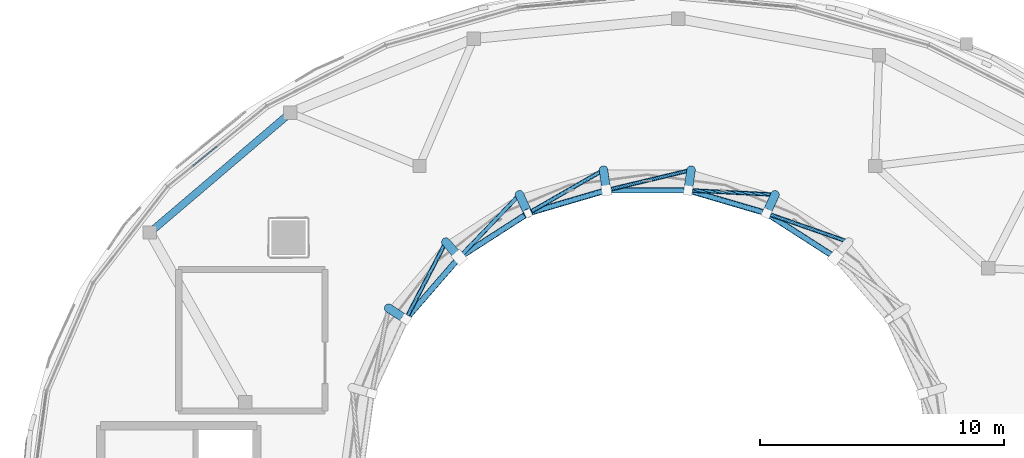
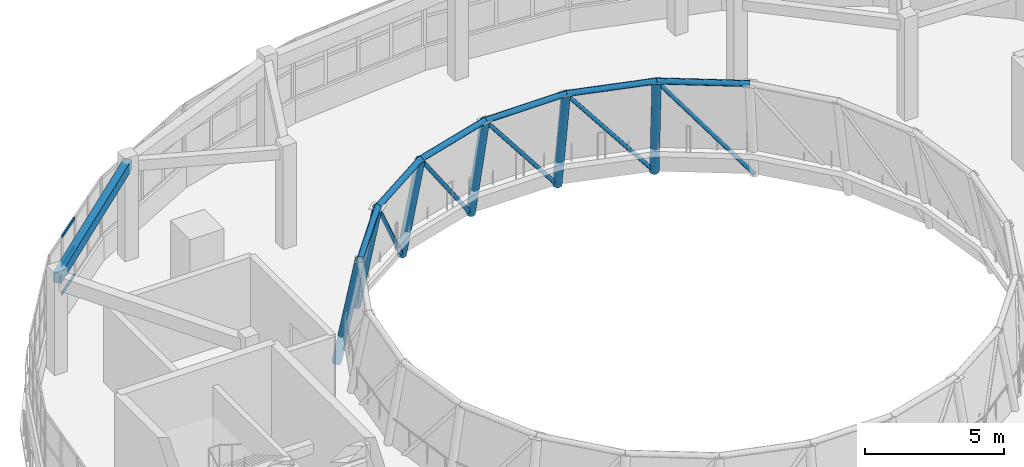
# One storey, part 18 of 46: 13 beams, 9 members, 1 element without a shape of its own.
"""IFC4 building model written with IfcOpenShell, lengths in metres."""

from ifc_helpers import new_model, si_unit, direction, frame, origin, origin_2d, place, context, subcontext, project, spatial, rectangle, hollow_rectangle, hollow_circle, extrude, material, layer, layer_set, material_profile, profile_set, type_object, element, aggregate, save


model = new_model("IFC4")

# Units and contexts
model_context = context("Model", 3, precision=1e-05, world=origin(), true_north=direction((0.0, 1.0)))
body_context = subcontext(model_context, "Body", "Model", "MODEL_VIEW")
ifc_project = project(units=[si_unit("LENGTHUNIT", "METRE"), si_unit("AREAUNIT", "SQUARE_METRE"), si_unit("VOLUMEUNIT", "CUBIC_METRE"), si_unit("PLANEANGLEUNIT", "RADIAN"), si_unit("MASSUNIT", "GRAM", prefix="KILO")], contexts=[model_context])

# Site, building, storey
site_placement = place(None, origin())
site = spatial("IfcSite", under=ifc_project, at=site_placement, CompositionType="ELEMENT")
building_placement = place(site_placement, origin())
building = spatial("IfcBuilding", under=site, at=building_placement, Name="Pelvatis Terrace Science Centre", CompositionType="ELEMENT")
storey_placement = place(building_placement, frame((0.0, 0.0, 19.800048828125)))
storey = spatial("IfcBuildingStorey", under=building, at=storey_placement, Name="L04", CompositionType="ELEMENT", Elevation=19.800048828125)

# Beams
ifc_material_1 = material(Name="Structural steel S355", Category="steel")
ifc_material_profile_1 = material_profile(ifc_material_1, hollow_circle(Radius=0.177734375, WallThickness=0.012451171875, at=origin_2d()), Name="CHS 355.6x12.5")
ifc_profile_set_1 = profile_set([ifc_material_profile_1], Name="Structural steel S355")
beam_type_1 = type_object("IfcBeamType", Name="BM-DOME-CHS355", PredefinedType="BEAM", material=ifc_profile_set_1)
for number, where, z_axis, x_axis, name in (
    (1, (114.43408203125, 97.261474609375, -1.199951171875), (-0.075651033918, -0.165815583126, 0.98325078869), (0.909786197621, -0.415077191156, 0.0), "Planetarium meridional dome rib 05.1"),
    (2, (110.9931640625, 98.271728515625, -1.199951171875), (-0.025943664668, -0.180382897987, 0.983254258256), (0.98981485559, -0.142360639413, 0.0), "Planetarium meridional dome rib 06.1"),
    (3, (107.40673828125, 98.271728515625, -1.199951171875), (0.025943664668, -0.180382897987, 0.983254258256), (0.98981485559, 0.142360639413, 0.0), "Planetarium meridional dome rib 07.1"),
    (4, (103.9658203125, 97.261474609375, -1.199951171875), (0.075703892402, -0.165814916012, 0.983246832847), (0.909676026984, 0.415318583657, 0.0), "Planetarium meridional dome rib 08.1"),
    (5, (100.94873046875, 95.322509765625, -1.199951171875), (0.11935103254, -0.137745445572, 0.983250488561), (0.755766071606, 0.654841694618, 0.0), "Planetarium meridional dome rib 09.1"),
    (6, (98.60009765625, 92.612060546875, -1.199951171875), (0.153322702858, -0.098511431483, 0.983253602412), (0.540551161728, 0.841311144319, 0.0), "Planetarium meridional dome rib 10.1"),
):
    element("IfcBeam", number, at=place(storey_placement, frame(where, z_axis=z_axis, x_axis=x_axis)), inside=storey, type_object=beam_type_1, Name=name, PredefinedType="BEAM", context=body_context, shape_type="SweptSolid", body=[
        extrude(hollow_circle(Radius=0.177734375, WallThickness=0.012451171875, at=origin_2d()), origin(), (0.0, 0.0, 1.0), 4.59228515625),
    ])
ifc_material_2 = material(Name="Structural steel S355", Category="steel")
ifc_material_profile_2 = material_profile(ifc_material_2, hollow_circle(Radius=0.122314453125, WallThickness=0.010009765625, at=origin_2d()), Name="CHS 244.5x10.0")
ifc_profile_set_2 = profile_set([ifc_material_profile_2], Name="Structural steel S355")
beam_type_2 = type_object("IfcBeamType", Name="BM-HOOP-CHS244", PredefinedType="BEAM", material=ifc_profile_set_2)
beam_1_placement = place(storey_placement, frame((116.9033203125, 94.68994140625, 3.3154296875), z_axis=(-0.841266125032, 0.540621223107, 0.0), x_axis=(-0.540621223107, -0.841266125032, 0.0)))
element("IfcBeam", 7, at=beam_1_placement, inside=storey, type_object=beam_type_2, Name="Planetarium dome hoop ring 2.04", PredefinedType="BEAM", context=body_context, shape_type="SweptSolid", body=[
    extrude(hollow_circle(Radius=0.122314453125, WallThickness=0.010009765625, at=origin_2d()), origin(), (0.0, 0.0, 1.0), 3.34814453125),
])
beam_2_placement = place(storey_placement, frame((114.086669921875, 96.5, 3.3154296875), z_axis=(-0.959489642889, 0.281743900002, 0.0), x_axis=(-0.281743900002, -0.959489642889, 0.0)))
element("IfcBeam", 8, at=beam_2_placement, inside=storey, type_object=beam_type_2, Name="Planetarium dome hoop ring 2.05", PredefinedType="BEAM", context=body_context, shape_type="SweptSolid", body=[
    extrude(hollow_circle(Radius=0.122314453125, WallThickness=0.010009765625, at=origin_2d()), origin(), (0.0, 0.0, 1.0), 3.348388671875),
])
for number, where, z_axis, x_axis, name in (
    (9, (110.8740234375, 97.443359375, 3.3154296875), (-1.0, 0.0, 0.0), (0.0, -1.0, 0.0), "Planetarium dome hoop ring 2.06"),
    (10, (107.52587890625, 97.443359375, 3.3154296875), (-0.959483854309, -0.281763612483, 0.0), (0.281763612483, -0.959483854309, 0.0), "Planetarium dome hoop ring 2.07"),
    (11, (104.3134765625, 96.5, 3.3154296875), (-0.841266125032, -0.540621223107, 0.0), (0.540621223107, -0.841266125032, 0.0), "Planetarium dome hoop ring 2.08"),
    (12, (101.496826171875, 94.68994140625, 3.3154296875), (-0.65488334353, -0.755729982446, 0.0), (0.755729982446, -0.65488334353, 0.0), "Planetarium dome hoop ring 2.09"),
):
    element("IfcBeam", number, at=place(storey_placement, frame(where, z_axis=z_axis, x_axis=x_axis)), inside=storey, type_object=beam_type_2, Name=name, PredefinedType="BEAM", context=body_context, shape_type="SweptSolid", body=[
        extrude(hollow_circle(Radius=0.122314453125, WallThickness=0.010009765625, at=origin_2d()), origin(), (0.0, 0.0, 1.0), 3.34814453125),
    ])
ifc_material_3 = material(Name="Concrete C35/45", Category="concrete")
ifc_material_profile_3 = material_profile(ifc_material_3, rectangle(XDim=0.300048828125, YDim=0.449951171875, at=origin_2d()), Name="RC-BM 300x450")
ifc_profile_set_3 = profile_set([ifc_material_profile_3], Name="Concrete C35/45")
beam_type_3 = type_object("IfcBeamType", Name="BM-RC-300x450", PredefinedType="BEAM", material=ifc_profile_set_3)
beam_3_placement = place(storey_placement, frame((94.575927734375, 100.61376953125, 4.02490234375), z_axis=(-0.761281604666, -0.64842140495, 0.0), x_axis=(0.64842140495, -0.761281604666, 0.0)))
element("IfcBeam", 13, at=beam_3_placement, inside=storey, type_object=beam_type_3, Name="Beam BM-L04-3086", PredefinedType="BEAM", context=body_context, shape_type="SweptSolid", body=[
    extrude(rectangle(XDim=0.300048828125, YDim=0.449951171875, at=origin_2d()), origin(), (0.0, 0.0, 1.0), 7.560546875),
])

# Curtain wall, members
ifc_material_4 = material(Name="Bronze-anodised aluminium and laminated glass", Category="aluminium")
ifc_layer = layer(ifc_material_4, 0.14990234375)
ifc_layer_set = layer_set([ifc_layer], Name="Bronze-anodised aluminium and laminated glass")
curtain_wall_type = type_object("IfcCurtainWallType", Name="CW-PASSAGE-C", PredefinedType="NOTDEFINED", material=ifc_layer_set)
curtain_wall_placement = place(storey_placement, origin())
curtain_wall = element("IfcCurtainWall", 14, at=curtain_wall_placement, inside=storey, type_object=curtain_wall_type, Name="Ribbon curtain wall CW-221 (L04)", PredefinedType="NOTDEFINED")
ifc_material_5 = material(Name="Bronze-anodised aluminium 6063-T6", Category="aluminium")
ifc_material_profile_4 = material_profile(ifc_material_5, hollow_rectangle(XDim=0.054931640625, YDim=0.1201171875, WallThickness=0.00341796875, at=origin_2d()), Name="ALU-TRN 55x120")
ifc_profile_set_4 = profile_set([ifc_material_profile_4], Name="Bronze-anodised aluminium 6063-T6")
member_type_1 = type_object("IfcMemberType", Name="CWT-55x120", PredefinedType="USERDEFINED", material=ifc_profile_set_4)
member_1_placement = place(storey_placement, frame((91.555419921875, 99.233154296875, 1.04736328125), z_axis=(-0.775923329106, -0.630827224642, 0.0), x_axis=(0.630827224642, -0.775923329106, 0.0)))
member_1 = element("IfcMember", 15, at=member_1_placement, type_object=member_type_1, Name="CW-221 transom 3.1", ObjectType="TRANSOM", PredefinedType="USERDEFINED", context=body_context, shape_type="SweptSolid", body=[
    extrude(hollow_rectangle(XDim=0.054931640625, YDim=0.1201171875, WallThickness=0.00341796875, at=origin_2d()), origin(), (0.0, 0.0, 1.0), 1.253662109375),
])
member_2_placement = place(storey_placement, frame((91.555419921875, 99.233154296875, 2.294921875), z_axis=(-0.775923329106, -0.630827224642, 0.0), x_axis=(0.630827224642, -0.775923329106, 0.0)))
member_2 = element("IfcMember", 16, at=member_2_placement, type_object=member_type_1, Name="CW-221 transom 3.2", ObjectType="TRANSOM", PredefinedType="USERDEFINED", context=body_context, shape_type="SweptSolid", body=[
    extrude(hollow_rectangle(XDim=0.054931640625, YDim=0.1201171875, WallThickness=0.00341796875, at=origin_2d()), origin(), (0.0, 0.0, 1.0), 1.253662109375),
])
member_3_placement = place(storey_placement, frame((91.555419921875, 99.233154296875, 3.54248046875), z_axis=(-0.775923329106, -0.630827224642, 0.0), x_axis=(0.630827224642, -0.775923329106, 0.0)))
member_3 = element("IfcMember", 17, at=member_3_placement, type_object=member_type_1, Name="CW-221 transom 3.3", ObjectType="TRANSOM", PredefinedType="USERDEFINED", context=body_context, shape_type="SweptSolid", body=[
    extrude(hollow_rectangle(XDim=0.054931640625, YDim=0.1201171875, WallThickness=0.00341796875, at=origin_2d()), origin(), (0.0, 0.0, 1.0), 1.253662109375),
])
aggregate(curtain_wall, [member_1, member_2, member_3])

# Members
ifc_material_6 = material(Name="Structural steel S355", Category="steel")
ifc_material_profile_5 = material_profile(ifc_material_6, hollow_circle(Radius=0.084228515625, WallThickness=0.00634765625, at=origin_2d()), Name="CHS 168.3x6.3")
ifc_profile_set_5 = profile_set([ifc_material_profile_5], Name="Structural steel S355")
member_type_2 = type_object("IfcMemberType", Name="MEM-BRC-CHS168", PredefinedType="BRACE", material=ifc_profile_set_5)
for number, where, z_axis, x_axis, name in (
    (18, (117.451171875, 95.322509765625, -1.199951171875), (-0.584843213291, 0.204680271221, 0.784897701895), (-0.330329069071, -0.943865830575, 0.0), "Planetarium dome lateral brace 1.04"),
    (19, (114.43408203125, 97.261474609375, -1.199951171875), (-0.6188294069, 0.0316162329, 0.784888895942), (-0.051023836894, -0.998697435697, 0.0), "Planetarium dome lateral brace 1.05"),
    (20, (110.9931640625, 98.271728515625, -1.199951171875), (-0.602692421167, -0.14398925398, 0.784875111216), (0.232370415934, -0.972627364307, 0.0), "Planetarium dome lateral brace 1.06"),
    (21, (107.40673828125, 98.271728515625, -1.199951171875), (-0.5376865994, -0.307970927533, 0.784886634247), (0.497016383092, -0.867741156646, 0.0), "Planetarium dome lateral brace 1.07"),
    (22, (103.9658203125, 97.261474609375, -1.199951171875), (-0.42916397107, -0.446987452515, 0.784869736472), (0.72134215768, -0.692578870276, 0.0), "Planetarium dome lateral brace 1.08"),
    (23, (100.94873046875, 95.322509765625, -1.199951171875), (-0.285857559546, -0.549775042149, 0.784877607453), (0.887233620207, -0.461320391024, 0.0), "Planetarium dome lateral brace 1.09"),
):
    element("IfcMember", number, at=place(storey_placement, frame(where, z_axis=z_axis, x_axis=x_axis)), inside=storey, type_object=member_type_2, Name=name, PredefinedType="BRACE", context=body_context, shape_type="SweptSolid", body=[
        extrude(hollow_circle(Radius=0.084228515625, WallThickness=0.00634765625, at=origin_2d()), origin(), (0.0, 0.0, 1.0), 5.7529296875),
    ])

save(model, "model.ifc")
